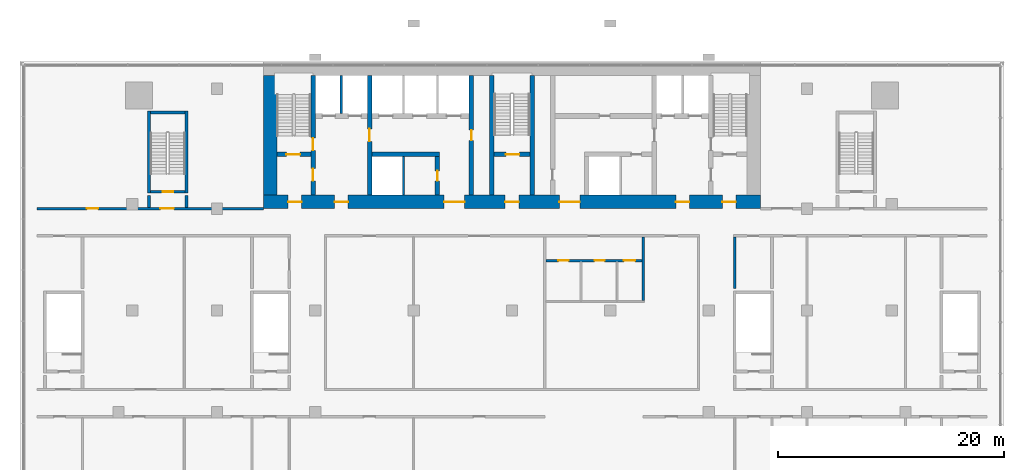
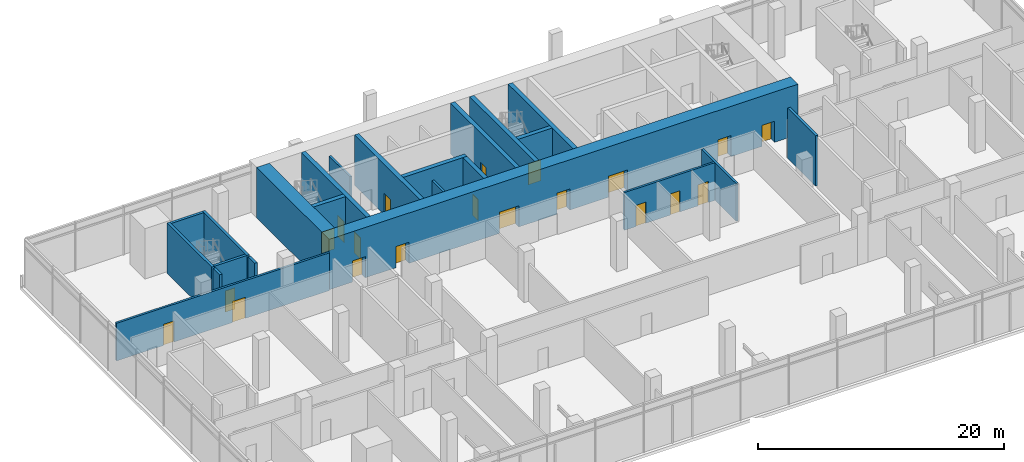
# One storey, part 12 of 17: 23 walls, 20 doors, 20 openings.
"""IFC4 building model written with IfcOpenShell, lengths in metres."""

from ifc_helpers import new_model, si_unit, direction, frame, frame_2d, origin, place, context, subcontext, project, spatial, rectangle, extrude, material, layer, layer_set, type_object, element, fill, save


model = new_model("IFC4")

# Units and contexts
model_context = context("Model", 3, precision=1e-05, world=origin(), true_north=direction((0.0, 1.0)))
body_context = subcontext(model_context, "Body", "Model", "MODEL_VIEW")
ifc_project = project(units=[si_unit("LENGTHUNIT", "METRE"), si_unit("AREAUNIT", "SQUARE_METRE"), si_unit("VOLUMEUNIT", "CUBIC_METRE"), si_unit("PLANEANGLEUNIT", "RADIAN"), si_unit("MASSUNIT", "GRAM", prefix="KILO")], contexts=[model_context])

# Site, building, storey
site_placement = place(None, origin())
site = spatial("IfcSite", under=ifc_project, at=site_placement, CompositionType="ELEMENT")
building_placement = place(site_placement, origin())
building = spatial("IfcBuilding", under=site, at=building_placement, Name="Bicima Exchange Tower", CompositionType="ELEMENT")
storey_placement = place(building_placement, frame((0.0, 0.0, 30.0)))
storey = spatial("IfcBuildingStorey", under=building, at=storey_placement, Name="L05", CompositionType="ELEMENT", Elevation=30.0)

# Walls
ifc_material_1 = material(Name="Gypsum board partition")
ifc_layer_1 = layer(ifc_material_1, 0.199951171875)
ifc_layer_set_1 = layer_set([ifc_layer_1], Name="Gypsum board partition")
wall_type_1 = type_object("IfcWallType", Name="Fire-rated gypsum partition 200 EI120", PredefinedType="PARTITIONING", material=ifc_layer_set_1)
for number, where, z_axis, x_axis, name in (
    (1, (-15.10009765625, -4.60009765625, 0.0), (0.0, 0.0, 1.0), (0.0, 1.0, 0.0), "partition wall 9"),
    (2, (-9.60009765625, -11.800048828125, 0.0), (0.0, 0.0, 1.0), (0.0, 1.0, 0.0), "partition wall 11"),
):
    element("IfcWall", number, at=place(storey_placement, frame(where, z_axis=z_axis, x_axis=x_axis)), inside=storey, type_object=wall_type_1, Name=name, PredefinedType="PARTITIONING", context=body_context, shape_type="SweptSolid", body=[
        extrude(rectangle(XDim=3.400146484375, YDim=0.199951171875, at=frame_2d((1.7001953125, 0.0))), origin(), (0.0, 0.0, 1.0), 3.740234375),
    ])

# Wall, openings, doors
ifc_layer_2 = layer(ifc_material_1, 0.199951171875)
ifc_layer_set_2 = layer_set([ifc_layer_2], Name="Gypsum board partition")
wall_type_2 = type_object("IfcWallType", Name="Fire-rated gypsum partition 200 EI60", PredefinedType="PARTITIONING", material=ifc_layer_set_2)
wall_1_placement = place(storey_placement, frame((3.0, -17.60009765625, 0.0), z_axis=(0.0, 0.0, 1.0), x_axis=(1.0, 0.0, 0.0)))
wall_1 = element("IfcWall", 3, at=wall_1_placement, inside=storey, type_object=wall_type_2, Name="partition wall 15", PredefinedType="PARTITIONING", context=body_context, shape_type="SweptSolid", body=[
    extrude(rectangle(XDim=8.5, YDim=0.199951171875, at=frame_2d((4.25, 0.0))), origin(), (0.0, 0.0, 1.0), 3.740234375),
])
opening_1_placement = place(wall_1_placement, frame((1.10009765625, 0.0, 0.0)))
opening_1 = element("IfcOpeningElement", 4, at=opening_1_placement, cuts=wall_1, Name="Opening L05-028", PredefinedType="OPENING", context=body_context, shape_type="SweptSolid", body=[
    extrude(rectangle(XDim=0.89990234375, YDim=2.10009765625, at=frame_2d((0.449951171875, 1.050048828125))), frame((0.0, 0.11181640625, 0.0), z_axis=(0.0, -1.0, 0.0), x_axis=(1.0, 0.0, 0.0)), (0.0, 0.0, 1.0), 0.223876953125),
])
opening_2_placement = place(wall_1_placement, frame((4.300048828125, 0.0, 0.0)))
opening_2 = element("IfcOpeningElement", 5, at=opening_2_placement, cuts=wall_1, Name="Opening L05-029", PredefinedType="OPENING", context=body_context, shape_type="SweptSolid", body=[
    extrude(rectangle(XDim=0.89990234375, YDim=2.10009765625, at=frame_2d((0.449951171875, 1.050048828125))), frame((0.0, 0.11181640625, 0.0), z_axis=(0.0, -1.0, 0.0), x_axis=(1.0, 0.0, 0.0)), (0.0, 0.0, 1.0), 0.223876953125),
])
opening_3_placement = place(wall_1_placement, frame((6.89990234375, 0.0, 0.0)))
opening_3 = element("IfcOpeningElement", 6, at=opening_3_placement, cuts=wall_1, Name="Opening L05-030", PredefinedType="OPENING", context=body_context, shape_type="SweptSolid", body=[
    extrude(rectangle(XDim=1.0, YDim=2.10009765625, at=frame_2d((0.5, 1.050048828125))), frame((0.0, 0.11181640625, 0.0), z_axis=(0.0, -1.0, 0.0), x_axis=(1.0, 0.0, 0.0)), (0.0, 0.0, 1.0), 0.223876953125),
])
ifc_material_2 = material(Name="Steel fire door leaf", Category="steel")
door_type_1 = type_object("IfcDoorType", Name="Door 1000 swing FD30S", OperationType="SINGLE_SWING_LEFT", PredefinedType="DOOR", material=ifc_material_2)
door_1_placement = place(opening_3_placement, frame((1.0, 0.0, 0.0), z_axis=(0.0, 0.0, 1.0), x_axis=(-1.0, 0.0, 0.0)))
door_1 = element("IfcDoor", 7, at=door_1_placement, inside=storey, type_object=door_type_1, Name="Door", OperationType="SINGLE_SWING_RIGHT", OverallHeight=2.10009765625, OverallWidth=1.0, PredefinedType="DOOR", context=body_context, shape_type="SweptSolid", body=[
    extrude(rectangle(XDim=1.0, YDim=2.10009765625, at=frame_2d((0.5, 1.050048828125))), frame((0.0, 0.02490234375, 0.0), z_axis=(0.0, -1.0, 0.0), x_axis=(1.0, 0.0, 0.0)), (0.0, 0.0, 1.0), 0.050048828125),
])
fill(opening_3, door_1)
door_type_2 = type_object("IfcDoorType", Name="Door 900 swing FD30S", OperationType="SINGLE_SWING_LEFT", PredefinedType="DOOR", material=ifc_material_2)
door_2_placement = place(opening_1_placement, frame((0.89990234375, 0.0, 0.0), z_axis=(0.0, 0.0, 1.0), x_axis=(-1.0, 0.0, 0.0)))
door_2 = element("IfcDoor", 8, at=door_2_placement, inside=storey, type_object=door_type_2, Name="Door", OperationType="SINGLE_SWING_LEFT", OverallHeight=2.10009765625, OverallWidth=0.89990234375, PredefinedType="DOOR", context=body_context, shape_type="SweptSolid", body=[
    extrude(rectangle(XDim=0.89990234375, YDim=2.10009765625, at=frame_2d((0.449951171875, 1.050048828125))), frame((0.0, 0.02490234375, 0.0), z_axis=(0.0, -1.0, 0.0), x_axis=(1.0, 0.0, 0.0)), (0.0, 0.0, 1.0), 0.050048828125),
])
fill(opening_1, door_2)
door_3_placement = place(opening_2_placement, frame((0.89990234375, 0.0, 0.0), z_axis=(0.0, 0.0, 1.0), x_axis=(-1.0, 0.0, 0.0)))
door_3 = element("IfcDoor", 9, at=door_3_placement, inside=storey, type_object=door_type_2, Name="Door", OperationType="SINGLE_SWING_RIGHT", OverallHeight=2.10009765625, OverallWidth=0.89990234375, PredefinedType="DOOR", context=body_context, shape_type="SweptSolid", body=[
    extrude(rectangle(XDim=0.89990234375, YDim=2.10009765625, at=frame_2d((0.449951171875, 1.050048828125))), frame((0.0, 0.02490234375, 0.0), z_axis=(0.0, -1.0, 0.0), x_axis=(1.0, 0.0, 0.0)), (0.0, 0.0, 1.0), 0.050048828125),
])
fill(opening_2, door_3)

wall_2_placement = place(storey_placement, frame((-42.0, -13.0, 0.0), z_axis=(0.0, 0.0, 1.0), x_axis=(1.0, 0.0, 0.0)))
wall_2 = element("IfcWall", 10, at=wall_2_placement, inside=storey, type_object=wall_type_2, Name="partition wall 19", PredefinedType="PARTITIONING", context=body_context, shape_type="SweptSolid", body=[
    extrude(rectangle(XDim=20.0, YDim=0.199951171875, at=frame_2d((10.0, 0.0))), origin(), (0.0, 0.0, 1.0), 3.740234375),
])
opening_4_placement = place(wall_2_placement, frame((10.89990234375, 0.0, 0.0)))
opening_4 = element("IfcOpeningElement", 11, at=opening_4_placement, cuts=wall_2, Name="Opening L05-009", PredefinedType="OPENING", context=body_context, shape_type="SweptSolid", body=[
    extrude(rectangle(XDim=1.199951171875, YDim=2.10009765625, at=frame_2d((0.60009765625, 1.050048828125))), frame((0.0, 0.11181640625, 0.0), z_axis=(0.0, -1.0, 0.0), x_axis=(1.0, 0.0, 0.0)), (0.0, 0.0, 1.0), 0.223876953125),
])
opening_5_placement = place(wall_2_placement, frame((4.39990234375, 0.0, 0.0)))
opening_5 = element("IfcOpeningElement", 12, at=opening_5_placement, cuts=wall_2, Name="Opening L05-013", PredefinedType="OPENING", context=body_context, shape_type="SweptSolid", body=[
    extrude(rectangle(XDim=1.0, YDim=2.10009765625, at=frame_2d((0.5, 1.050048828125))), frame((0.0, 0.11181640625, 0.0), z_axis=(0.0, -1.0, 0.0), x_axis=(1.0, 0.0, 0.0)), (0.0, 0.0, 1.0), 0.223876953125),
])
door_4_placement = place(opening_5_placement, origin())
door_4 = element("IfcDoor", 13, at=door_4_placement, inside=storey, type_object=door_type_1, Name="Door", OperationType="SINGLE_SWING_LEFT", OverallHeight=2.10009765625, OverallWidth=1.0, PredefinedType="DOOR", context=body_context, shape_type="SweptSolid", body=[
    extrude(rectangle(XDim=1.0, YDim=2.10009765625, at=frame_2d((0.5, 1.050048828125))), frame((0.0, 0.02490234375, 0.0), z_axis=(0.0, -1.0, 0.0), x_axis=(1.0, 0.0, 0.0)), (0.0, 0.0, 1.0), 0.050048828125),
])
fill(opening_5, door_4)
door_type_3 = type_object("IfcDoorType", Name="Door 1200 swing FD30S", OperationType="SINGLE_SWING_LEFT", PredefinedType="DOOR", material=ifc_material_2)
door_5_placement = place(opening_4_placement, origin())
door_5 = element("IfcDoor", 14, at=door_5_placement, inside=storey, type_object=door_type_3, Name="Door", OperationType="SINGLE_SWING_RIGHT", OverallHeight=2.10009765625, OverallWidth=1.199951171875, PredefinedType="DOOR", context=body_context, shape_type="SweptSolid", body=[
    extrude(rectangle(XDim=1.199951171875, YDim=2.10009765625, at=frame_2d((0.60009765625, 1.050048828125))), frame((0.0, 0.02490234375, 0.0), z_axis=(0.0, -1.0, 0.0), x_axis=(1.0, 0.0, 0.0)), (0.0, 0.0, 1.0), 0.050048828125),
])
fill(opening_4, door_5)

# Wall
wall_3_placement = place(storey_placement, frame((11.60009765625, -21.125, 0.0), z_axis=(0.0, 0.0, 1.0), x_axis=(0.0, 1.0, 0.0)))
element("IfcWall", 15, at=wall_3_placement, inside=storey, type_object=wall_type_2, Name="partition wall 44", PredefinedType="PARTITIONING", context=body_context, shape_type="SweptSolid", body=[
    extrude(rectangle(XDim=5.625, YDim=0.199951171875, at=frame_2d((2.8125, 0.0))), origin(), (0.0, 0.0, 1.0), 3.740234375),
])

# Wall, openings, doors
ifc_material_3 = material(Name="Concrete C60/75", Category="concrete")
ifc_layer_3 = layer(ifc_material_3, 1.199951171875)
ifc_layer_set_3 = layer_set([ifc_layer_3], Name="Concrete C60/75")
wall_type_3 = type_object("IfcWallType", Name="RC core wall 1200 C60/75", PredefinedType="SHEAR", material=ifc_layer_set_3)
wall_4_placement = place(storey_placement, frame((-22.0, -12.39990234375, 0.0), z_axis=(0.0, 0.0, 1.0), x_axis=(1.0, 0.0, 0.0)))
wall_4 = element("IfcWall", 16, at=wall_4_placement, inside=storey, type_object=wall_type_3, Name="Core wall south", PredefinedType="SHEAR", context=body_context, shape_type="SweptSolid", body=[
    extrude(rectangle(XDim=44.0, YDim=1.199951171875, at=frame_2d((22.0, 0.0))), origin(), (0.0, 0.0, 1.0), 5.0),
])
opening_6_placement = place(wall_4_placement, frame((2.199951171875, 0.0, 0.0)))
opening_6 = element("IfcOpeningElement", 17, at=opening_6_placement, cuts=wall_4, Name="Opening L05-C15", PredefinedType="OPENING", context=body_context, shape_type="SweptSolid", body=[
    extrude(rectangle(XDim=1.199951171875, YDim=2.10009765625, at=frame_2d((0.60009765625, 1.050048828125))), frame((0.0, 0.61181640625, 0.0), z_axis=(0.0, -1.0, 0.0), x_axis=(1.0, 0.0, 0.0)), (0.0, 0.0, 1.0), 1.223876953125),
])
opening_7_placement = place(wall_4_placement, frame((21.39990234375, 0.0, 0.0)))
opening_7 = element("IfcOpeningElement", 18, at=opening_7_placement, cuts=wall_4, Name="Opening L05-C16", PredefinedType="OPENING", context=body_context, shape_type="SweptSolid", body=[
    extrude(rectangle(XDim=1.199951171875, YDim=2.10009765625, at=frame_2d((0.60009765625, 1.050048828125))), frame((0.0, 0.61181640625, 0.0), z_axis=(0.0, -1.0, 0.0), x_axis=(1.0, 0.0, 0.0)), (0.0, 0.0, 1.0), 1.223876953125),
])
opening_8_placement = place(wall_4_placement, frame((40.60009765625, 0.0, 0.0)))
opening_8 = element("IfcOpeningElement", 19, at=opening_8_placement, cuts=wall_4, Name="Opening L05-C17", PredefinedType="OPENING", context=body_context, shape_type="SweptSolid", body=[
    extrude(rectangle(XDim=1.199951171875, YDim=2.10009765625, at=frame_2d((0.60009765625, 1.050048828125))), frame((0.0, 0.61181640625, 0.0), z_axis=(0.0, -1.0, 0.0), x_axis=(1.0, 0.0, 0.0)), (0.0, 0.0, 1.0), 1.223876953125),
])
opening_9_placement = place(wall_4_placement, frame((16.0, 0.0, 0.0)))
opening_9 = element("IfcOpeningElement", 20, at=opening_9_placement, cuts=wall_4, Name="Opening L05-C18", PredefinedType="OPENING", context=body_context, shape_type="SweptSolid", body=[
    extrude(rectangle(XDim=1.800048828125, YDim=2.10009765625, at=frame_2d((0.89990234375, 1.050048828125))), frame((0.0, 0.61181640625, 0.0), z_axis=(0.0, -1.0, 0.0), x_axis=(1.0, 0.0, 0.0)), (0.0, 0.0, 1.0), 1.223876953125),
])
opening_10_placement = place(wall_4_placement, frame((6.300048828125, 0.0, 0.0)))
opening_10 = element("IfcOpeningElement", 21, at=opening_10_placement, cuts=wall_4, Name="Opening L05-C19", PredefinedType="OPENING", context=body_context, shape_type="SweptSolid", body=[
    extrude(rectangle(XDim=1.199951171875, YDim=2.10009765625, at=frame_2d((0.60009765625, 1.050048828125))), frame((0.0, 0.61181640625, 0.0), z_axis=(0.0, -1.0, 0.0), x_axis=(1.0, 0.0, 0.0)), (0.0, 0.0, 1.0), 1.223876953125),
])
opening_11_placement = place(wall_4_placement, frame((26.199951171875, 0.0, 0.0)))
opening_11 = element("IfcOpeningElement", 22, at=opening_11_placement, cuts=wall_4, Name="Opening L05-C20", PredefinedType="OPENING", context=body_context, shape_type="SweptSolid", body=[
    extrude(rectangle(XDim=1.800048828125, YDim=2.10009765625, at=frame_2d((0.89990234375, 1.050048828125))), frame((0.0, 0.61181640625, 0.0), z_axis=(0.0, -1.0, 0.0), x_axis=(1.0, 0.0, 0.0)), (0.0, 0.0, 1.0), 1.223876953125),
])
opening_12_placement = place(wall_4_placement, frame((36.5, 0.0, 0.0)))
opening_12 = element("IfcOpeningElement", 23, at=opening_12_placement, cuts=wall_4, Name="Opening L05-C21", PredefinedType="OPENING", context=body_context, shape_type="SweptSolid", body=[
    extrude(rectangle(XDim=1.199951171875, YDim=2.10009765625, at=frame_2d((0.60009765625, 1.050048828125))), frame((0.0, 0.61181640625, 0.0), z_axis=(0.0, -1.0, 0.0), x_axis=(1.0, 0.0, 0.0)), (0.0, 0.0, 1.0), 1.223876953125),
])
door_type_4 = type_object("IfcDoorType", Name="Door 1200 swing FD60S", OperationType="SINGLE_SWING_LEFT", PredefinedType="DOOR", material=ifc_material_2)
door_6_placement = place(opening_6_placement, frame((1.199951171875, 0.0, 0.0), z_axis=(0.0, 0.0, 1.0), x_axis=(-1.0, 0.0, 0.0)))
door_6 = element("IfcDoor", 24, at=door_6_placement, inside=storey, type_object=door_type_4, Name="Core door", OperationType="SINGLE_SWING_RIGHT", OverallHeight=2.10009765625, OverallWidth=1.199951171875, PredefinedType="DOOR", context=body_context, shape_type="SweptSolid", body=[
    extrude(rectangle(XDim=1.199951171875, YDim=2.10009765625, at=frame_2d((0.60009765625, 1.050048828125))), frame((0.0, 0.02490234375, 0.0), z_axis=(0.0, -1.0, 0.0), x_axis=(1.0, 0.0, 0.0)), (0.0, 0.0, 1.0), 0.050048828125),
])
fill(opening_6, door_6)
door_7_placement = place(opening_7_placement, frame((1.199951171875, 0.0, 0.0), z_axis=(0.0, 0.0, 1.0), x_axis=(-1.0, 0.0, 0.0)))
door_7 = element("IfcDoor", 25, at=door_7_placement, inside=storey, type_object=door_type_4, Name="Core door", OperationType="SINGLE_SWING_RIGHT", OverallHeight=2.10009765625, OverallWidth=1.199951171875, PredefinedType="DOOR", context=body_context, shape_type="SweptSolid", body=[
    extrude(rectangle(XDim=1.199951171875, YDim=2.10009765625, at=frame_2d((0.60009765625, 1.050048828125))), frame((0.0, 0.02490234375, 0.0), z_axis=(0.0, -1.0, 0.0), x_axis=(1.0, 0.0, 0.0)), (0.0, 0.0, 1.0), 0.050048828125),
])
fill(opening_7, door_7)
door_8_placement = place(opening_8_placement, frame((1.199951171875, 0.0, 0.0), z_axis=(0.0, 0.0, 1.0), x_axis=(-1.0, 0.0, 0.0)))
door_8 = element("IfcDoor", 26, at=door_8_placement, inside=storey, type_object=door_type_4, Name="Core door", OperationType="SINGLE_SWING_RIGHT", OverallHeight=2.10009765625, OverallWidth=1.199951171875, PredefinedType="DOOR", context=body_context, shape_type="SweptSolid", body=[
    extrude(rectangle(XDim=1.199951171875, YDim=2.10009765625, at=frame_2d((0.60009765625, 1.050048828125))), frame((0.0, 0.02490234375, 0.0), z_axis=(0.0, -1.0, 0.0), x_axis=(1.0, 0.0, 0.0)), (0.0, 0.0, 1.0), 0.050048828125),
])
fill(opening_8, door_8)
door_9_placement = place(opening_10_placement, frame((1.199951171875, 0.0, 0.0), z_axis=(0.0, 0.0, 1.0), x_axis=(-1.0, 0.0, 0.0)))
door_9 = element("IfcDoor", 27, at=door_9_placement, inside=storey, type_object=door_type_4, Name="Core door", OperationType="SINGLE_SWING_RIGHT", OverallHeight=2.10009765625, OverallWidth=1.199951171875, PredefinedType="DOOR", context=body_context, shape_type="SweptSolid", body=[
    extrude(rectangle(XDim=1.199951171875, YDim=2.10009765625, at=frame_2d((0.60009765625, 1.050048828125))), frame((0.0, 0.02490234375, 0.0), z_axis=(0.0, -1.0, 0.0), x_axis=(1.0, 0.0, 0.0)), (0.0, 0.0, 1.0), 0.050048828125),
])
fill(opening_10, door_9)
door_10_placement = place(opening_12_placement, frame((1.199951171875, 0.0, 0.0), z_axis=(0.0, 0.0, 1.0), x_axis=(-1.0, 0.0, 0.0)))
door_10 = element("IfcDoor", 28, at=door_10_placement, inside=storey, type_object=door_type_4, Name="Core door", OperationType="SINGLE_SWING_RIGHT", OverallHeight=2.10009765625, OverallWidth=1.199951171875, PredefinedType="DOOR", context=body_context, shape_type="SweptSolid", body=[
    extrude(rectangle(XDim=1.199951171875, YDim=2.10009765625, at=frame_2d((0.60009765625, 1.050048828125))), frame((0.0, 0.02490234375, 0.0), z_axis=(0.0, -1.0, 0.0), x_axis=(1.0, 0.0, 0.0)), (0.0, 0.0, 1.0), 0.050048828125),
])
fill(opening_12, door_10)
door_type_5 = type_object("IfcDoorType", Name="Door 1800 double swing FD30S", OperationType="DOUBLE_DOOR_SINGLE_SWING", PredefinedType="DOOR", material=ifc_material_2)
door_11_placement = place(opening_9_placement, origin())
door_11 = element("IfcDoor", 29, at=door_11_placement, inside=storey, type_object=door_type_5, Name="Core door", OperationType="SINGLE_SWING_LEFT", OverallHeight=2.10009765625, OverallWidth=1.800048828125, PredefinedType="DOOR", context=body_context, shape_type="SweptSolid", body=[
    extrude(rectangle(XDim=1.800048828125, YDim=2.10009765625, at=frame_2d((0.89990234375, 1.050048828125))), frame((0.0, 0.02490234375, 0.0), z_axis=(0.0, -1.0, 0.0), x_axis=(1.0, 0.0, 0.0)), (0.0, 0.0, 1.0), 0.050048828125),
])
fill(opening_9, door_11)
door_12_placement = place(opening_11_placement, origin())
door_12 = element("IfcDoor", 30, at=door_12_placement, inside=storey, type_object=door_type_5, Name="Core door", OperationType="SINGLE_SWING_LEFT", OverallHeight=2.10009765625, OverallWidth=1.800048828125, PredefinedType="DOOR", context=body_context, shape_type="SweptSolid", body=[
    extrude(rectangle(XDim=1.800048828125, YDim=2.10009765625, at=frame_2d((0.89990234375, 1.050048828125))), frame((0.0, 0.02490234375, 0.0), z_axis=(0.0, -1.0, 0.0), x_axis=(1.0, 0.0, 0.0)), (0.0, 0.0, 1.0), 0.050048828125),
])
fill(opening_11, door_12)

# Walls
wall_5_placement = place(storey_placement, frame((-21.39990234375, -11.800048828125, 0.0), z_axis=(0.0, 0.0, 1.0), x_axis=(0.0, 1.0, 0.0)))
element("IfcWall", 31, at=wall_5_placement, inside=storey, type_object=wall_type_3, Name="Core wall west", PredefinedType="SHEAR", context=body_context, shape_type="SweptSolid", body=[
    extrude(rectangle(XDim=10.60009765625, YDim=1.199951171875, at=frame_2d((5.300048828125, 0.0))), origin(), (0.0, 0.0, 1.0), 5.0),
])
ifc_material_4 = material(Name="Concrete C50/60", Category="concrete")
ifc_layer_4 = layer(ifc_material_4, 0.25)
ifc_layer_set_4 = layer_set([ifc_layer_4], Name="Concrete C50/60")
wall_type_4 = type_object("IfcWallType", Name="RC core wall 250 C50/60", PredefinedType="SHEAR", material=ifc_layer_set_4)
for number, where, z_axis, x_axis, name in (
    (32, (-32.10009765625, -12.89990234375, 0.0), (0.0, 0.0, 1.0), (0.0, 1.0, 0.0), "stair wall 30"),
    (33, (-28.800048828125, -12.89990234375, 0.0), (0.0, 0.0, 1.0), (0.0, 1.0, 0.0), "stair wall 33"),
):
    element("IfcWall", number, at=place(storey_placement, frame(where, z_axis=z_axis, x_axis=x_axis)), inside=storey, type_object=wall_type_4, Name=name, PredefinedType="SHEAR", context=body_context, shape_type="SweptSolid", body=[
        extrude(rectangle(XDim=1.0498046875, YDim=0.25, at=frame_2d((0.52490234375, 0.0))), origin(), (0.0, 0.0, 1.0), 5.0),
    ])
wall_6_placement = place(storey_placement, frame((19.699951171875, -20.050048828125, 0.0), z_axis=(0.0, 0.0, 1.0), x_axis=(0.0, 1.0, 0.0)))
element("IfcWall", 34, at=wall_6_placement, inside=storey, type_object=wall_type_4, Name="stair wall 47", PredefinedType="SHEAR", context=body_context, shape_type="SweptSolid", body=[
    extrude(rectangle(XDim=4.550048828125, YDim=0.25, at=frame_2d((2.27490234375, 0.0))), origin(), (0.0, 0.0, 1.0), 5.0),
])

# Wall, opening, door
ifc_layer_5 = layer(ifc_material_4, 0.39990234375)
ifc_layer_set_5 = layer_set([ifc_layer_5], Name="Concrete C50/60")
wall_type_5 = type_object("IfcWallType", Name="RC core wall 400 C50/60", PredefinedType="SHEAR", material=ifc_layer_set_5)
wall_7_placement = place(storey_placement, frame((-20.800048828125, -8.199951171875, 0.0), z_axis=(0.0, 0.0, 1.0), x_axis=(1.0, 0.0, 0.0)))
wall_7 = element("IfcWall", 35, at=wall_7_placement, inside=storey, type_object=wall_type_5, Name="stair wall 1", PredefinedType="SHEAR", context=body_context, shape_type="SweptSolid", body=[
    extrude(rectangle(XDim=3.0, YDim=0.39990234375, at=frame_2d((1.5, 0.0))), origin(), (0.0, 0.0, 1.0), 5.0),
])
opening_13_placement = place(wall_7_placement, frame((0.85009765625, 0.0, 0.0)))
opening_13 = element("IfcOpeningElement", 36, at=opening_13_placement, cuts=wall_7, Name="Opening L05-C01", PredefinedType="OPENING", context=body_context, shape_type="SweptSolid", body=[
    extrude(rectangle(XDim=1.199951171875, YDim=2.10009765625, at=frame_2d((0.60009765625, 1.050048828125))), frame((0.0, 0.2119140625, 0.0), z_axis=(0.0, -1.0, 0.0), x_axis=(1.0, 0.0, 0.0)), (0.0, 0.0, 1.0), 0.423828125),
])
door_13_placement = place(opening_13_placement, origin())
door_13 = element("IfcDoor", 37, at=door_13_placement, inside=storey, type_object=door_type_4, Name="Core door", OperationType="SINGLE_SWING_LEFT", OverallHeight=2.10009765625, OverallWidth=1.199951171875, PredefinedType="DOOR", context=body_context, shape_type="SweptSolid", body=[
    extrude(rectangle(XDim=1.199951171875, YDim=2.10009765625, at=frame_2d((0.60009765625, 1.050048828125))), frame((0.0, 0.02490234375, 0.0), z_axis=(0.0, -1.0, 0.0), x_axis=(1.0, 0.0, 0.0)), (0.0, 0.0, 1.0), 0.050048828125),
])
fill(opening_13, door_13)

wall_8_placement = place(storey_placement, frame((-1.60009765625, -8.199951171875, 0.0), z_axis=(0.0, 0.0, 1.0), x_axis=(1.0, 0.0, 0.0)))
wall_8 = element("IfcWall", 38, at=wall_8_placement, inside=storey, type_object=wall_type_5, Name="stair wall 3", PredefinedType="SHEAR", context=body_context, shape_type="SweptSolid", body=[
    extrude(rectangle(XDim=3.2001953125, YDim=0.39990234375, at=frame_2d((1.60009765625, 0.0))), origin(), (0.0, 0.0, 1.0), 5.0),
])
opening_14_placement = place(wall_8_placement, frame((1.050048828125, 0.0, 0.0)))
opening_14 = element("IfcOpeningElement", 39, at=opening_14_placement, cuts=wall_8, Name="Opening L05-C03", PredefinedType="OPENING", context=body_context, shape_type="SweptSolid", body=[
    extrude(rectangle(XDim=1.199951171875, YDim=2.10009765625, at=frame_2d((0.60009765625, 1.050048828125))), frame((0.0, 0.2119140625, 0.0), z_axis=(0.0, -1.0, 0.0), x_axis=(1.0, 0.0, 0.0)), (0.0, 0.0, 1.0), 0.423828125),
])
door_14_placement = place(opening_14_placement, origin())
door_14 = element("IfcDoor", 40, at=door_14_placement, inside=storey, type_object=door_type_4, Name="Core door", OperationType="SINGLE_SWING_LEFT", OverallHeight=2.10009765625, OverallWidth=1.199951171875, PredefinedType="DOOR", context=body_context, shape_type="SweptSolid", body=[
    extrude(rectangle(XDim=1.199951171875, YDim=2.10009765625, at=frame_2d((0.60009765625, 1.050048828125))), frame((0.0, 0.02490234375, 0.0), z_axis=(0.0, -1.0, 0.0), x_axis=(1.0, 0.0, 0.0)), (0.0, 0.0, 1.0), 0.050048828125),
])
fill(opening_14, door_14)

# Wall, openings, doors
wall_9_placement = place(storey_placement, frame((-17.60009765625, -11.800048828125, 0.0), z_axis=(0.0, 0.0, 1.0), x_axis=(0.0, 1.0, 0.0)))
wall_9 = element("IfcWall", 41, at=wall_9_placement, inside=storey, type_object=wall_type_5, Name="stair wall 8", PredefinedType="SHEAR", context=body_context, shape_type="SweptSolid", body=[
    extrude(rectangle(XDim=10.60009765625, YDim=0.39990234375, at=frame_2d((5.300048828125, 0.0))), origin(), (0.0, 0.0, 1.0), 5.0),
])
opening_15_placement = place(wall_9_placement, frame((1.25, 0.0, 0.0)))
opening_15 = element("IfcOpeningElement", 42, at=opening_15_placement, cuts=wall_9, Name="Opening L05-C02", PredefinedType="OPENING", context=body_context, shape_type="SweptSolid", body=[
    extrude(rectangle(XDim=1.10009765625, YDim=2.10009765625, at=frame_2d((0.550048828125, 1.050048828125))), frame((0.0, 0.2119140625, 0.0), z_axis=(0.0, -1.0, 0.0), x_axis=(1.0, 0.0, 0.0)), (0.0, 0.0, 1.0), 0.423828125),
])
opening_16_placement = place(wall_9_placement, frame((3.949951171875, 0.0, 0.0)))
opening_16 = element("IfcOpeningElement", 43, at=opening_16_placement, cuts=wall_9, Name="Opening L05-C06", PredefinedType="OPENING", context=body_context, shape_type="SweptSolid", body=[
    extrude(rectangle(XDim=1.10009765625, YDim=2.10009765625, at=frame_2d((0.550048828125, 1.050048828125))), frame((0.0, 0.2119140625, 0.0), z_axis=(0.0, -1.0, 0.0), x_axis=(1.0, 0.0, 0.0)), (0.0, 0.0, 1.0), 0.423828125),
])
door_type_6 = type_object("IfcDoorType", Name="Door 1100 swing FD60S", OperationType="SINGLE_SWING_LEFT", PredefinedType="DOOR", material=ifc_material_2)
door_15_placement = place(opening_15_placement, frame((1.10009765625, 0.0, 0.0), z_axis=(0.0, 0.0, 1.0), x_axis=(-1.0, 0.0, 0.0)))
door_15 = element("IfcDoor", 44, at=door_15_placement, inside=storey, type_object=door_type_6, Name="Core door", OperationType="SINGLE_SWING_LEFT", OverallHeight=2.10009765625, OverallWidth=1.10009765625, PredefinedType="DOOR", context=body_context, shape_type="SweptSolid", body=[
    extrude(rectangle(XDim=1.10009765625, YDim=2.10009765625, at=frame_2d((0.550048828125, 1.050048828125))), frame((0.0, 0.02490234375, 0.0), z_axis=(0.0, -1.0, 0.0), x_axis=(1.0, 0.0, 0.0)), (0.0, 0.0, 1.0), 0.050048828125),
])
fill(opening_15, door_15)
door_16_placement = place(opening_16_placement, frame((1.10009765625, 0.0, 0.0), z_axis=(0.0, 0.0, 1.0), x_axis=(-1.0, 0.0, 0.0)))
door_16 = element("IfcDoor", 45, at=door_16_placement, inside=storey, type_object=door_type_6, Name="Core door", OperationType="SINGLE_SWING_LEFT", OverallHeight=2.10009765625, OverallWidth=1.10009765625, PredefinedType="DOOR", context=body_context, shape_type="SweptSolid", body=[
    extrude(rectangle(XDim=1.10009765625, YDim=2.10009765625, at=frame_2d((0.550048828125, 1.050048828125))), frame((0.0, 0.02490234375, 0.0), z_axis=(0.0, -1.0, 0.0), x_axis=(1.0, 0.0, 0.0)), (0.0, 0.0, 1.0), 0.050048828125),
])
fill(opening_16, door_16)

# Walls
for number, where, z_axis, x_axis, name in (
    (46, (-1.800048828125, -11.800048828125, 0.0), (0.0, 0.0, 1.0), (0.0, 1.0, 0.0), "stair wall 16"),
    (47, (1.800048828125, -11.800048828125, 0.0), (0.0, 0.0, 1.0), (0.0, 1.0, 0.0), "stair wall 17"),
):
    element("IfcWall", number, at=place(storey_placement, frame(where, z_axis=z_axis, x_axis=x_axis)), inside=storey, type_object=wall_type_5, Name=name, PredefinedType="SHEAR", context=body_context, shape_type="SweptSolid", body=[
        extrude(rectangle(XDim=10.60009765625, YDim=0.39990234375, at=frame_2d((5.300048828125, 0.0))), origin(), (0.0, 0.0, 1.0), 5.0),
    ])
ifc_layer_6 = layer(ifc_material_3, 0.39990234375)
ifc_layer_set_6 = layer_set([ifc_layer_6], Name="Concrete C60/75")
wall_type_6 = type_object("IfcWallType", Name="RC core wall 400 C60/75", PredefinedType="SHEAR", material=ifc_layer_set_6)
wall_10_placement = place(storey_placement, frame((-12.39990234375, -8.199951171875, 0.0), z_axis=(0.0, 0.0, 1.0), x_axis=(1.0, 0.0, 0.0)))
element("IfcWall", 48, at=wall_10_placement, inside=storey, type_object=wall_type_6, Name="shear wall 2", PredefinedType="SHEAR", context=body_context, shape_type="SweptSolid", body=[
    extrude(rectangle(XDim=6.0, YDim=0.39990234375, at=frame_2d((3.0, 0.0))), origin(), (0.0, 0.0, 1.0), 5.0),
])

# Wall, opening, door
wall_11_placement = place(storey_placement, frame((-12.60009765625, -11.800048828125, 0.0), z_axis=(0.0, 0.0, 1.0), x_axis=(0.0, 1.0, 0.0)))
wall_11 = element("IfcWall", 49, at=wall_11_placement, inside=storey, type_object=wall_type_6, Name="shear wall 10", PredefinedType="SHEAR", context=body_context, shape_type="SweptSolid", body=[
    extrude(rectangle(XDim=10.60009765625, YDim=0.39990234375, at=frame_2d((5.300048828125, 0.0))), origin(), (0.0, 0.0, 1.0), 5.0),
])
opening_17_placement = place(wall_11_placement, frame((4.75, 0.0, 0.0)))
opening_17 = element("IfcOpeningElement", 50, at=opening_17_placement, cuts=wall_11, Name="Opening L05-C07", PredefinedType="OPENING", context=body_context, shape_type="SweptSolid", body=[
    extrude(rectangle(XDim=1.10009765625, YDim=2.10009765625, at=frame_2d((0.550048828125, 1.050048828125))), frame((0.0, 0.2119140625, 0.0), z_axis=(0.0, -1.0, 0.0), x_axis=(1.0, 0.0, 0.0)), (0.0, 0.0, 1.0), 0.423828125),
])
door_17_placement = place(opening_17_placement, origin())
door_17 = element("IfcDoor", 51, at=door_17_placement, inside=storey, type_object=door_type_6, Name="Core door", OperationType="SINGLE_SWING_LEFT", OverallHeight=2.10009765625, OverallWidth=1.10009765625, PredefinedType="DOOR", context=body_context, shape_type="SweptSolid", body=[
    extrude(rectangle(XDim=1.10009765625, YDim=2.10009765625, at=frame_2d((0.550048828125, 1.050048828125))), frame((0.0, 0.02490234375, 0.0), z_axis=(0.0, -1.0, 0.0), x_axis=(1.0, 0.0, 0.0)), (0.0, 0.0, 1.0), 0.050048828125),
])
fill(opening_17, door_17)

wall_12_placement = place(storey_placement, frame((-6.60009765625, -11.800048828125, 0.0), z_axis=(0.0, 0.0, 1.0), x_axis=(0.0, 1.0, 0.0)))
wall_12 = element("IfcWall", 52, at=wall_12_placement, inside=storey, type_object=wall_type_6, Name="shear wall 13", PredefinedType="SHEAR", context=body_context, shape_type="SweptSolid", body=[
    extrude(rectangle(XDim=3.400146484375, YDim=0.39990234375, at=frame_2d((1.7001953125, 0.0))), origin(), (0.0, 0.0, 1.0), 5.0),
])
opening_18_placement = place(wall_12_placement, frame((1.25, 0.0, 0.0)))
opening_18 = element("IfcOpeningElement", 53, at=opening_18_placement, cuts=wall_12, Name="Opening L05-C13", PredefinedType="OPENING", context=body_context, shape_type="SweptSolid", body=[
    extrude(rectangle(XDim=0.89990234375, YDim=2.10009765625, at=frame_2d((0.449951171875, 1.050048828125))), frame((0.0, 0.2119140625, 0.0), z_axis=(0.0, -1.0, 0.0), x_axis=(1.0, 0.0, 0.0)), (0.0, 0.0, 1.0), 0.423828125),
])
door_18_placement = place(opening_18_placement, origin())
door_18 = element("IfcDoor", 54, at=door_18_placement, inside=storey, type_object=door_type_2, Name="Core door", OperationType="SINGLE_SWING_LEFT", OverallHeight=2.10009765625, OverallWidth=0.89990234375, PredefinedType="DOOR", context=body_context, shape_type="SweptSolid", body=[
    extrude(rectangle(XDim=0.89990234375, YDim=2.10009765625, at=frame_2d((0.449951171875, 1.050048828125))), frame((0.0, 0.02490234375, 0.0), z_axis=(0.0, -1.0, 0.0), x_axis=(1.0, 0.0, 0.0)), (0.0, 0.0, 1.0), 0.050048828125),
])
fill(opening_18, door_18)

wall_13_placement = place(storey_placement, frame((-3.60009765625, -11.800048828125, 0.0), z_axis=(0.0, 0.0, 1.0), x_axis=(0.0, 1.0, 0.0)))
wall_13 = element("IfcWall", 55, at=wall_13_placement, inside=storey, type_object=wall_type_6, Name="shear wall 15", PredefinedType="SHEAR", context=body_context, shape_type="SweptSolid", body=[
    extrude(rectangle(XDim=10.60009765625, YDim=0.39990234375, at=frame_2d((5.300048828125, 0.0))), origin(), (0.0, 0.0, 1.0), 5.0),
])
opening_19_placement = place(wall_13_placement, frame((4.85009765625, 0.0, 0.0)))
opening_19 = element("IfcOpeningElement", 56, at=opening_19_placement, cuts=wall_13, Name="Opening L05-C10", PredefinedType="OPENING", context=body_context, shape_type="SweptSolid", body=[
    extrude(rectangle(XDim=0.89990234375, YDim=2.10009765625, at=frame_2d((0.449951171875, 1.050048828125))), frame((0.0, 0.2119140625, 0.0), z_axis=(0.0, -1.0, 0.0), x_axis=(1.0, 0.0, 0.0)), (0.0, 0.0, 1.0), 0.423828125),
])
door_19_placement = place(opening_19_placement, frame((0.89990234375, 0.0, 0.0), z_axis=(0.0, 0.0, 1.0), x_axis=(-1.0, 0.0, 0.0)))
door_19 = element("IfcDoor", 57, at=door_19_placement, inside=storey, type_object=door_type_2, Name="Core door", OperationType="SINGLE_SWING_LEFT", OverallHeight=2.10009765625, OverallWidth=0.89990234375, PredefinedType="DOOR", context=body_context, shape_type="SweptSolid", body=[
    extrude(rectangle(XDim=0.89990234375, YDim=2.10009765625, at=frame_2d((0.449951171875, 1.050048828125))), frame((0.0, 0.02490234375, 0.0), z_axis=(0.0, -1.0, 0.0), x_axis=(1.0, 0.0, 0.0)), (0.0, 0.0, 1.0), 0.050048828125),
])
fill(opening_19, door_19)

# Walls
ifc_layer_7 = layer(ifc_material_4, 0.25)
ifc_layer_set_7 = layer_set([ifc_layer_7], Name="Concrete C50/60")
wall_type_7 = type_object("IfcWallType", Name="RC stair enclosure wall 250 C50/60", PredefinedType="SHEAR", material=ifc_layer_set_7)
for number, where, z_axis, x_axis, name in (
    (58, (-32.10009765625, -11.625, 0.0), (0.0, 0.0, 1.0), (0.0, 1.0, 0.0), "West end exit stair wall W"),
    (59, (-28.800048828125, -11.625, 0.0), (0.0, 0.0, 1.0), (0.0, 1.0, 0.0), "West end exit stair wall E"),
):
    element("IfcWall", number, at=place(storey_placement, frame(where, z_axis=z_axis, x_axis=x_axis)), inside=storey, type_object=wall_type_7, Name=name, PredefinedType="SHEAR", context=body_context, shape_type="SweptSolid", body=[
        extrude(rectangle(XDim=7.25, YDim=0.25, at=frame_2d((3.625, 0.0))), origin(), (0.0, 0.0, 1.0), 5.0),
    ])

# Wall, opening, door
wall_14_placement = place(storey_placement, frame((-31.97509765625, -11.5, 0.0), z_axis=(0.0, 0.0, 1.0), x_axis=(1.0, 0.0, 0.0)))
wall_14 = element("IfcWall", 60, at=wall_14_placement, inside=storey, type_object=wall_type_7, Name="West end exit stair wall S", PredefinedType="SHEAR", context=body_context, shape_type="SweptSolid", body=[
    extrude(rectangle(XDim=3.050048828125, YDim=0.25, at=frame_2d((1.52490234375, 0.0))), origin(), (0.0, 0.0, 1.0), 5.0),
])
opening_20_placement = place(wall_14_placement, frame((1.10009765625, 0.0, 0.0)))
opening_20 = element("IfcOpeningElement", 61, at=opening_20_placement, cuts=wall_14, Name="Opening L05-010", PredefinedType="OPENING", context=body_context, shape_type="SweptSolid", body=[
    extrude(rectangle(XDim=0.89990234375, YDim=2.10009765625, at=frame_2d((0.449951171875, 1.050048828125))), frame((0.0, 0.136962890625, 0.0), z_axis=(0.0, -1.0, 0.0), x_axis=(1.0, 0.0, 0.0)), (0.0, 0.0, 1.0), 0.27392578125),
])
door_type_7 = type_object("IfcDoorType", Name="Door 900 swing FD60S", OperationType="SINGLE_SWING_LEFT", PredefinedType="DOOR", material=ifc_material_2)
door_20_placement = place(opening_20_placement, origin())
door_20 = element("IfcDoor", 62, at=door_20_placement, inside=storey, type_object=door_type_7, Name="Door", OperationType="SINGLE_SWING_LEFT", OverallHeight=2.10009765625, OverallWidth=0.89990234375, PredefinedType="DOOR", context=body_context, shape_type="SweptSolid", body=[
    extrude(rectangle(XDim=0.89990234375, YDim=2.10009765625, at=frame_2d((0.449951171875, 1.050048828125))), frame((0.0, 0.02490234375, 0.0), z_axis=(0.0, -1.0, 0.0), x_axis=(1.0, 0.0, 0.0)), (0.0, 0.0, 1.0), 0.050048828125),
])
fill(opening_20, door_20)

# Wall
wall_15_placement = place(storey_placement, frame((-31.97509765625, -4.5, 0.0), z_axis=(0.0, 0.0, 1.0), x_axis=(1.0, 0.0, 0.0)))
element("IfcWall", 63, at=wall_15_placement, inside=storey, type_object=wall_type_7, Name="West end exit stair wall N", PredefinedType="SHEAR", context=body_context, shape_type="SweptSolid", body=[
    extrude(rectangle(XDim=3.050048828125, YDim=0.25, at=frame_2d((1.52490234375, 0.0))), origin(), (0.0, 0.0, 1.0), 5.0),
])

save(model, "model.ifc")
